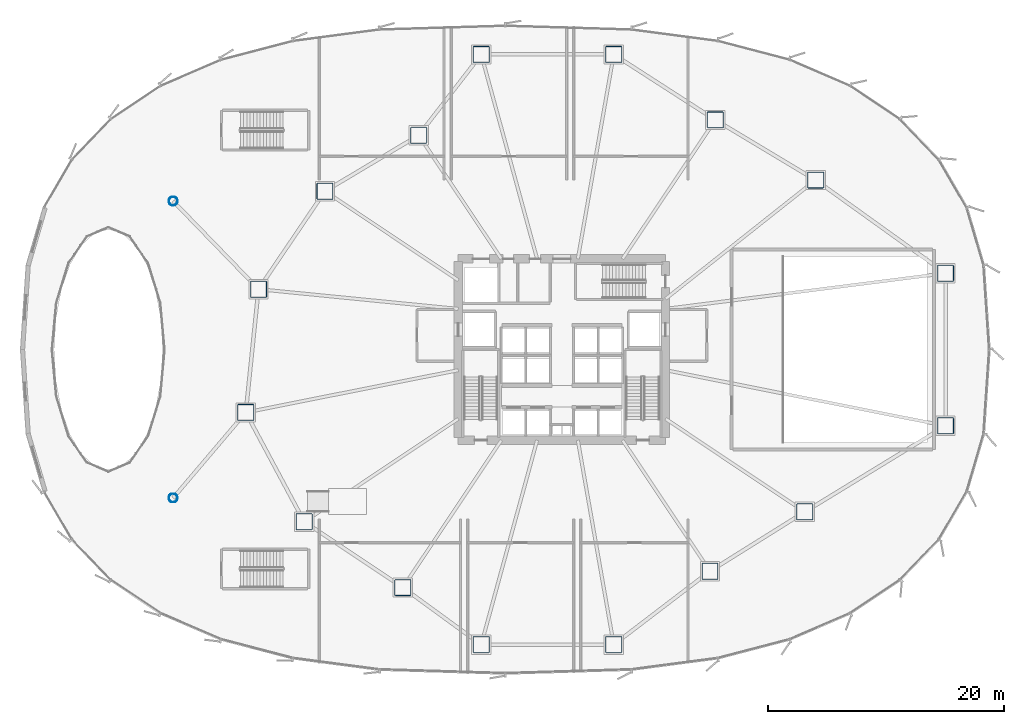
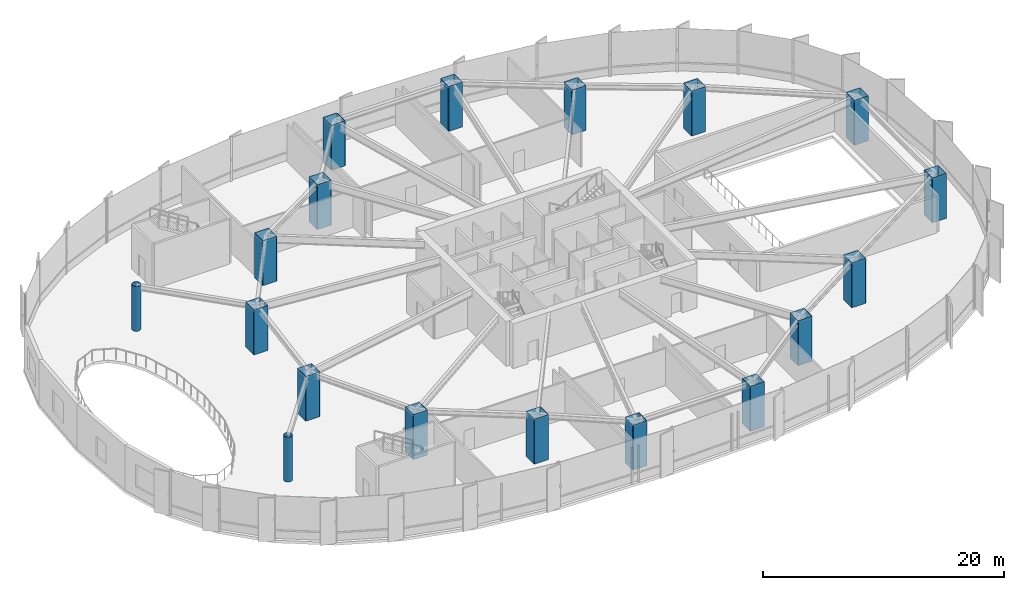
# One storey, part 1 of 34: 18 columns.
"""IFC4 building model written with IfcOpenShell, lengths in metres."""

from ifc_helpers import new_model, si_unit, direction, frame, origin, origin_2d, place, context, subcontext, project, spatial, hollow_rectangle, hollow_circle, extrude, source, transform, mapped, material, material_profile, profile_set, type_object, element, save


model = new_model("IFC4")

# Units and contexts
model_context = context("Model", 3, precision=1e-05, world=origin(), true_north=direction((0.0, 1.0)))
body_context = subcontext(model_context, "Body", "Model", "MODEL_VIEW")
ifc_project = project(units=[si_unit("LENGTHUNIT", "METRE"), si_unit("AREAUNIT", "SQUARE_METRE"), si_unit("VOLUMEUNIT", "CUBIC_METRE"), si_unit("PLANEANGLEUNIT", "RADIAN"), si_unit("MASSUNIT", "GRAM", prefix="KILO"), si_unit("THERMODYNAMICTEMPERATUREUNIT", "KELVIN")], contexts=[model_context])

# Site, building, storey
site_placement = place(None, origin())
site = spatial("IfcSite", under=ifc_project, at=site_placement, CompositionType="ELEMENT")
building_placement = place(site_placement, origin())
building = spatial("IfcBuilding", under=site, at=building_placement, Name="Kethvar Cultural Tower", CompositionType="ELEMENT")
storey_placement = place(building_placement, frame((0.0, 0.0, 14.800048828125)))
storey = spatial("IfcBuildingStorey", under=building, at=storey_placement, Name="L03", CompositionType="ELEMENT", Elevation=14.800048828125)

# Columns
ifc_material_1 = material(Name="Steel S460M", Category="steel")
ifc_material_profile_1 = material_profile(ifc_material_1, hollow_rectangle(XDim=1.39990234375, YDim=1.39990234375, WallThickness=0.050048828125, InnerFilletRadius=0.02490234375, OuterFilletRadius=0.074951171875, at=origin_2d()), Name="Steel S460M — BOX1400x1400x50")
ifc_profile_set_1 = profile_set([ifc_material_profile_1], Name="Steel S460M — BOX1400x1400x50")
column_type_1 = type_object("IfcColumnType", Name="COL-BOX1400", PredefinedType="COLUMN", material=ifc_profile_set_1)
shared_shape_1 = source(origin(), body_context, "Body", "SweptSolid", [
    extrude(hollow_rectangle(XDim=1.39990234375, YDim=1.39990234375, WallThickness=0.050048828125, InnerFilletRadius=0.02490234375, OuterFilletRadius=0.074951171875, at=origin_2d()), origin(), (0.0, 0.0, 1.0), 4.530029296875),
])
for number, where, z_axis, x_axis, name in (
    (1, (79.362060546875, 34.277099609375, 0.0), (0.0, 0.0, 1.0), (1.0, 0.0, 0.0), "L03 Podium Column C-01"),
    (2, (68.33642578125, 42.190185546875, 0.0), (0.0, 0.0, 1.0), (1.0, 0.0, 0.0), "L03 Podium Column C-02"),
    (3, (59.824951171875, 47.293212890625, 0.0), (0.0, 0.0, 1.0), (1.0, 0.0, 0.0), "L03 Podium Column C-03"),
    (4, (51.199951171875, 52.85009765625, 0.0), (0.0, 0.0, 1.0), (1.0, 0.0, 0.0), "L03 Podium Column C-04"),
    (5, (39.949951171875, 52.85009765625, 0.0), (0.0, 0.0, 1.0), (1.0, 0.0, 0.0), "L03 Podium Column C-05"),
    (6, (34.64599609375, 45.98974609375, 0.0), (0.0, 0.0, 1.0), (1.0, 0.0, 0.0), "L03 Podium Column C-06"),
    (7, (26.6845703125, 41.24072265625, 0.0), (0.0, 0.0, 1.0), (1.0, 0.0, 0.0), "L03 Podium Column C-07"),
    (8, (21.047119140625, 32.922607421875, 0.0), (0.0, 0.0, 1.0), (1.0, 0.0, 0.0), "L03 Podium Column C-08"),
    (9, (19.9658203125, 22.46240234375, 0.0), (0.0, 0.0, 1.0), (1.0, 0.0, 0.0), "L03 Podium Column C-09"),
    (10, (24.9248046875, 13.183349609375, 0.0), (0.0, 0.0, 1.0), (1.0, 0.0, 0.0), "L03 Podium Column C-10"),
    (11, (33.302001953125, 7.598876953125, 0.0), (0.0, 0.0, 1.0), (1.0, 0.0, 0.0), "L03 Podium Column C-11"),
    (12, (39.949951171875, 2.75, 0.0), (0.0, 0.0, 1.0), (1.0, 0.0, 0.0), "L03 Podium Column C-12"),
    (13, (51.199951171875, 2.75, 0.0), (0.0, 0.0, 1.0), (1.0, 0.0, 0.0), "L03 Podium Column C-13"),
    (14, (59.370361328125, 8.987060546875, 0.0), (0.0, 0.0, 1.0), (1.0, 0.0, 0.0), "L03 Podium Column C-14"),
    (15, (67.41845703125, 14.023193359375, 0.0), (0.0, 0.0, 1.0), (1.0, 0.0, 0.0), "L03 Podium Column C-15"),
    (16, (79.362060546875, 21.322998046875, 0.0), (0.0, 0.0, 1.0), (1.0, 0.0, 0.0), "L03 Podium Column C-16"),
):
    element("IfcColumn", number, at=place(storey_placement, frame(where, z_axis=z_axis, x_axis=x_axis)), inside=storey, type_object=column_type_1, Name=name, PredefinedType="COLUMN", context=body_context, shape_type="MappedRepresentation", body=[
        mapped(shared_shape_1, transform((0.0, 0.0, 0.0), scale=1.0)),
    ])
ifc_material_2 = material(Name="Steel S355J2", Category="steel")
ifc_material_profile_2 = material_profile(ifc_material_2, hollow_circle(Radius=0.381103515625, WallThickness=0.02490234375, at=origin_2d()), Name="Steel S355J2 — CHS762x25")
ifc_profile_set_2 = profile_set([ifc_material_profile_2], Name="Steel S355J2 — CHS762x25")
column_type_2 = type_object("IfcColumnType", Name="COL-CHS762", PredefinedType="COLUMN", material=ifc_profile_set_2)
shared_shape_2 = source(origin(), body_context, "Body", "SweptSolid", [
    extrude(hollow_circle(Radius=0.381103515625, WallThickness=0.02490234375, at=origin_2d()), origin(), (0.0, 0.0, 1.0), 4.530029296875),
])
for number, where, z_axis, x_axis, name in (
    (17, (13.800048828125, 15.199951171875, 0.0), (0.0, 0.0, 1.0), (1.0, 0.0, 0.0), "L03 Podium Column C-17"),
    (18, (13.800048828125, 40.39990234375, 0.0), (0.0, 0.0, 1.0), (1.0, 0.0, 0.0), "L03 Podium Column C-18"),
):
    element("IfcColumn", number, at=place(storey_placement, frame(where, z_axis=z_axis, x_axis=x_axis)), inside=storey, type_object=column_type_2, Name=name, PredefinedType="COLUMN", context=body_context, shape_type="MappedRepresentation", body=[
        mapped(shared_shape_2, transform((0.0, 0.0, 0.0), scale=1.0)),
    ])

save(model, "model.ifc")
